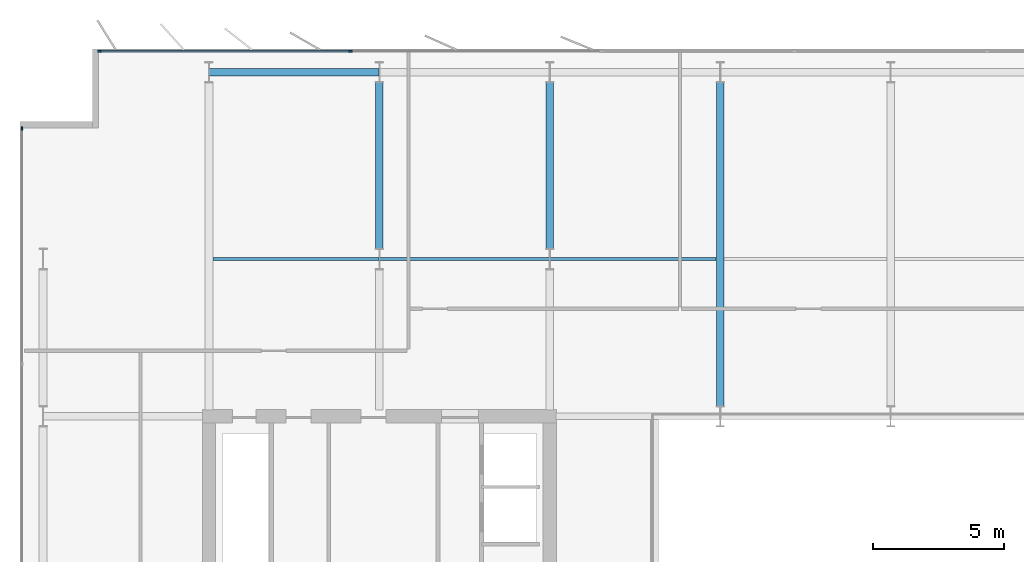
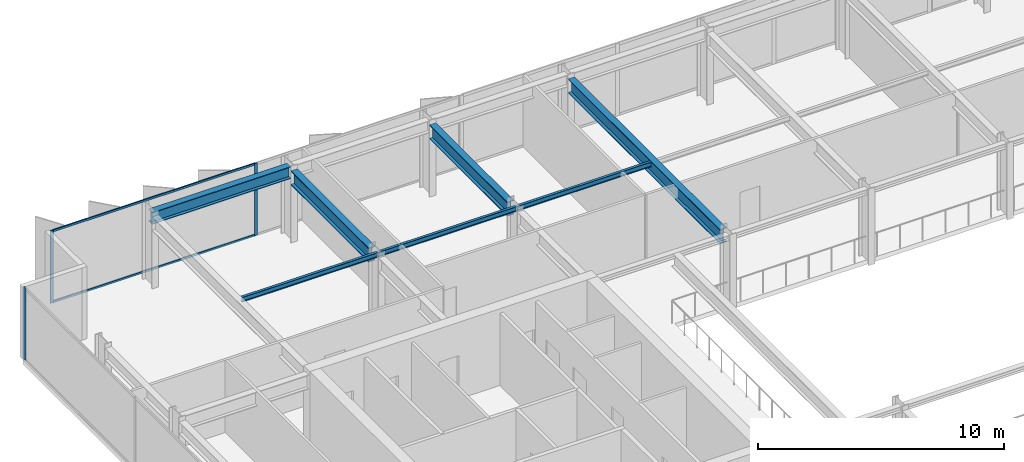
# One storey, part 10 of 23: 7 beams, 5 members, 2 elements without a shape of their own.
"""IFC4 building model written with IfcOpenShell, lengths in metres."""

from ifc_helpers import new_model, si_unit, direction, frame, origin, origin_2d, place, context, subcontext, project, spatial, rectangle, i_section, extrude, material, layer, layer_set, material_profile, profile_set, type_object, element, aggregate, save


model = new_model("IFC4")

# Units and contexts
model_context = context("Model", 3, precision=1e-05, world=origin(), true_north=direction((0.0, 1.0)))
body_context = subcontext(model_context, "Body", "Model", "MODEL_VIEW")
ifc_project = project(units=[si_unit("LENGTHUNIT", "METRE"), si_unit("AREAUNIT", "SQUARE_METRE"), si_unit("VOLUMEUNIT", "CUBIC_METRE"), si_unit("PLANEANGLEUNIT", "RADIAN"), si_unit("MASSUNIT", "GRAM", prefix="KILO")], contexts=[model_context])

# Site, building, storey
site_placement = place(None, origin())
site = spatial("IfcSite", under=ifc_project, at=site_placement, CompositionType="ELEMENT")
building_placement = place(site_placement, origin())
building = spatial("IfcBuilding", under=site, at=building_placement, Name="Putna Gate Headquarters", CompositionType="ELEMENT")
storey_placement = place(building_placement, frame((0.0, 0.0, 206.199951171875)))
storey = spatial("IfcBuildingStorey", under=building, at=storey_placement, Name="L51", CompositionType="ELEMENT", Elevation=206.199951171875)

# Beams
ifc_material_1 = material(Name="Steel S355J2", Category="steel")
ifc_material_profile_1 = material_profile(ifc_material_1, i_section(OverallWidth=0.300048828125, OverallDepth=0.699951171875, WebThickness=0.01708984375, FlangeThickness=0.031982421875, at=origin_2d()), Name="Steel S355J2")
ifc_profile_set_1 = profile_set([ifc_material_profile_1], Name="Steel S355J2")
beam_type_1 = type_object("IfcBeamType", Name="BM-GIRD-B-HEB700", PredefinedType="USERDEFINED", material=ifc_profile_set_1)
for number, where, z_axis, x_axis, name in (
    (1, (19.5, 39.39501953125, 3.22998046875), (0.0, 1.0, 0.0), (-1.0, 0.0, 0.0), "L51 North Primary Girder X19-2"),
    (2, (26.0, 39.39501953125, 3.22998046875), (0.0, 1.0, 0.0), (-1.0, 0.0, 0.0), "L51 North Primary Girder X26-2"),
):
    element("IfcBeam", number, at=place(storey_placement, frame(where, z_axis=z_axis, x_axis=x_axis)), inside=storey, type_object=beam_type_1, Name=name, ObjectType="GIRDER", PredefinedType="USERDEFINED", context=body_context, shape_type="SweptSolid", body=[
        extrude(i_section(OverallWidth=0.300048828125, OverallDepth=0.699951171875, WebThickness=0.01708984375, FlangeThickness=0.031982421875, at=origin_2d()), origin(), (0.0, 0.0, 1.0), 6.330078125),
    ])
beam_1_placement = place(storey_placement, frame((32.5, 33.39501953125, 3.22998046875), z_axis=(0.0, 1.0, 0.0), x_axis=(-1.0, 0.0, 0.0)))
element("IfcBeam", 3, at=beam_1_placement, inside=storey, type_object=beam_type_1, Name="L51 North Primary Girder X32", ObjectType="GIRDER", PredefinedType="USERDEFINED", context=body_context, shape_type="SweptSolid", body=[
    extrude(i_section(OverallWidth=0.300048828125, OverallDepth=0.699951171875, WebThickness=0.01708984375, FlangeThickness=0.031982421875, at=origin_2d()), origin(), (0.0, 0.0, 1.0), 12.330078125),
])
ifc_material_profile_2 = material_profile(ifc_material_1, i_section(OverallWidth=0.1201171875, OverallDepth=0.239990234375, WebThickness=0.006103515625, FlangeThickness=0.009765625, at=origin_2d()), Name="Steel S355J2")
ifc_profile_set_2 = profile_set([ifc_material_profile_2], Name="Steel S355J2")
beam_type_2 = type_object("IfcBeamType", Name="BM-SEC-Z4-IPE240", PredefinedType="JOIST", material=ifc_profile_set_2)
beam_2_placement = place(storey_placement, frame((13.154052734375, 39.0, 3.4599609375), z_axis=(1.0, 0.0, 0.0), x_axis=(0.0, 1.0, 0.0)))
element("IfcBeam", 4, at=beam_2_placement, inside=storey, type_object=beam_type_2, Name="L51 North Secondary Beam 1", PredefinedType="JOIST", context=body_context, shape_type="SweptSolid", body=[
    extrude(i_section(OverallWidth=0.1201171875, OverallDepth=0.239990234375, WebThickness=0.006103515625, FlangeThickness=0.009765625, at=origin_2d()), origin(), (0.0, 0.0, 1.0), 6.33984375),
])
beam_3_placement = place(storey_placement, frame((19.506103515625, 39.0, 3.4599609375), z_axis=(1.0, 0.0, 0.0), x_axis=(0.0, 1.0, 0.0)))
element("IfcBeam", 5, at=beam_3_placement, inside=storey, type_object=beam_type_2, Name="L51 North Secondary Beam 2", PredefinedType="JOIST", context=body_context, shape_type="SweptSolid", body=[
    extrude(i_section(OverallWidth=0.1201171875, OverallDepth=0.239990234375, WebThickness=0.006103515625, FlangeThickness=0.009765625, at=origin_2d()), origin(), (0.0, 0.0, 1.0), 6.48779296875),
])
beam_4_placement = place(storey_placement, frame((26.006103515625, 39.0, 3.4599609375), z_axis=(1.0, 0.0, 0.0), x_axis=(0.0, 1.0, 0.0)))
element("IfcBeam", 6, at=beam_4_placement, inside=storey, type_object=beam_type_2, Name="L51 North Secondary Beam 3", PredefinedType="JOIST", context=body_context, shape_type="SweptSolid", body=[
    extrude(i_section(OverallWidth=0.1201171875, OverallDepth=0.239990234375, WebThickness=0.006103515625, FlangeThickness=0.009765625, at=origin_2d()), origin(), (0.0, 0.0, 1.0), 6.33984375),
])
ifc_material_profile_3 = material_profile(ifc_material_1, i_section(OverallWidth=0.300048828125, OverallDepth=0.590087890625, WebThickness=0.012939453125, FlangeThickness=0.02490234375, at=origin_2d()), Name="Steel S355J2")
ifc_profile_set_3 = profile_set([ifc_material_profile_3], Name="Steel S355J2")
beam_type_3 = type_object("IfcBeamType", Name="BM-SPAN-Z4-HEA600", PredefinedType="SPANDREL", material=ifc_profile_set_3)
beam_5_placement = place(storey_placement, frame((13.006103515625, 46.1201171875, 3.28515625), z_axis=(1.0, 0.0, 0.0), x_axis=(0.0, 1.0, 0.0)))
element("IfcBeam", 7, at=beam_5_placement, inside=storey, type_object=beam_type_3, Name="L51 N Perimeter Spandrel 1", PredefinedType="SPANDREL", context=body_context, shape_type="SweptSolid", body=[
    extrude(i_section(OverallWidth=0.300048828125, OverallDepth=0.590087890625, WebThickness=0.012939453125, FlangeThickness=0.02490234375, at=origin_2d()), origin(), (0.0, 0.0, 1.0), 6.48779296875),
])

# Curtain wall, members
ifc_material_2 = material(Name="Anodised bronze aluminium curtain wall", Category="aluminium")
ifc_layer = layer(ifc_material_2, 0.139892578125)
ifc_layer_set = layer_set([ifc_layer], Name="Anodised bronze aluminium curtain wall")
curtain_wall_type = type_object("IfcCurtainWallType", Name="CW-SYS-Z4", PredefinedType="USERDEFINED", material=ifc_layer_set)
curtain_wall_1_placement = place(storey_placement, origin())
curtain_wall_1 = element("IfcCurtainWall", 8, at=curtain_wall_1_placement, inside=storey, type_object=curtain_wall_type, Name="L51 North West Curtain Wall", ObjectType="STICK CURTAIN WALL", PredefinedType="USERDEFINED")
ifc_material_3 = material(Name="Anodised bronze aluminium EN AW-6060", Category="aluminium")
ifc_material_profile_4 = material_profile(ifc_material_3, rectangle(XDim=0.06005859375, YDim=0.139892578125, at=origin_2d()), Name="Anodised bronze aluminium EN AW-6060")
ifc_profile_set_4 = profile_set([ifc_material_profile_4], Name="Anodised bronze aluminium EN AW-6060")
member_type_1 = type_object("IfcMemberType", Name="MULL-CWM-4", PredefinedType="MULLION", material=ifc_profile_set_4)
member_1_placement = place(storey_placement, frame((8.830078125, 46.919921875, 0.0), z_axis=(0.0, 0.0, 1.0), x_axis=(0.0, 1.0, 0.0)))
member_1 = element("IfcMember", 9, at=member_1_placement, type_object=member_type_1, Name="CWS-4 mullion 1", PredefinedType="MULLION", context=body_context, shape_type="SweptSolid", body=[
    extrude(rectangle(XDim=0.06005859375, YDim=0.139892578125, at=origin_2d()), origin(), (0.0, 0.0, 1.0), 3.580078125),
])
member_2_placement = place(storey_placement, frame((18.39990234375, 46.919921875, 0.0), z_axis=(0.0, 0.0, 1.0), x_axis=(0.0, 1.0, 0.0)))
member_2 = element("IfcMember", 10, at=member_2_placement, type_object=member_type_1, Name="CWS-4 mullion 2", PredefinedType="MULLION", context=body_context, shape_type="SweptSolid", body=[
    extrude(rectangle(XDim=0.06005859375, YDim=0.139892578125, at=origin_2d()), origin(), (0.0, 0.0, 1.0), 3.580078125),
])

# Curtain wall, member
curtain_wall_2_placement = place(storey_placement, origin())
curtain_wall_2 = element("IfcCurtainWall", 11, at=curtain_wall_2_placement, inside=storey, type_object=curtain_wall_type, Name="L51 West Curtain Wall", ObjectType="STICK CURTAIN WALL", PredefinedType="USERDEFINED")
member_3_placement = place(storey_placement, frame((5.8798828125, 43.969970703125, 0.0), z_axis=(0.0, 0.0, 1.0), x_axis=(-1.0, 0.0, 0.0)))
member_3 = element("IfcMember", 12, at=member_3_placement, type_object=member_type_1, Name="CWS-4 mullion 5", PredefinedType="MULLION", context=body_context, shape_type="SweptSolid", body=[
    extrude(rectangle(XDim=0.06005859375, YDim=0.139892578125, at=origin_2d()), origin(), (0.0, 0.0, 1.0), 3.580078125),
])
aggregate(curtain_wall_2, [member_3])

# Member
ifc_material_profile_5 = material_profile(ifc_material_3, rectangle(XDim=0.06005859375, YDim=0.10009765625, at=origin_2d()), Name="Anodised bronze aluminium EN AW-6060")
ifc_profile_set_5 = profile_set([ifc_material_profile_5], Name="Anodised bronze aluminium EN AW-6060")
member_type_2 = type_object("IfcMemberType", Name="TRAN-CWT-4", PredefinedType="USERDEFINED", material=ifc_profile_set_5)
member_4_placement = place(storey_placement, frame((8.860107421875, 46.919921875, 0.030029296875), z_axis=(1.0, 0.0, 0.0), x_axis=(0.0, 1.0, 0.0)))
member_4 = element("IfcMember", 13, at=member_4_placement, type_object=member_type_2, Name="CWS-4 transom 1.1", ObjectType="TRANSOM", PredefinedType="USERDEFINED", context=body_context, shape_type="SweptSolid", body=[
    extrude(rectangle(XDim=0.06005859375, YDim=0.10009765625, at=origin_2d()), origin(), (0.0, 0.0, 1.0), 9.510009765625),
])

member_5_placement = place(storey_placement, frame((8.860107421875, 46.919921875, 3.550048828125), z_axis=(1.0, 0.0, 0.0), x_axis=(0.0, 1.0, 0.0)))
member_5 = element("IfcMember", 14, at=member_5_placement, type_object=member_type_2, Name="CWS-4 transom 1.2", ObjectType="TRANSOM", PredefinedType="USERDEFINED", context=body_context, shape_type="SweptSolid", body=[
    extrude(rectangle(XDim=0.06005859375, YDim=0.10009765625, at=origin_2d()), origin(), (0.0, 0.0, 1.0), 9.510009765625),
])

aggregate(curtain_wall_1, [member_1, member_2, member_4, member_5])

save(model, "model.ifc")
